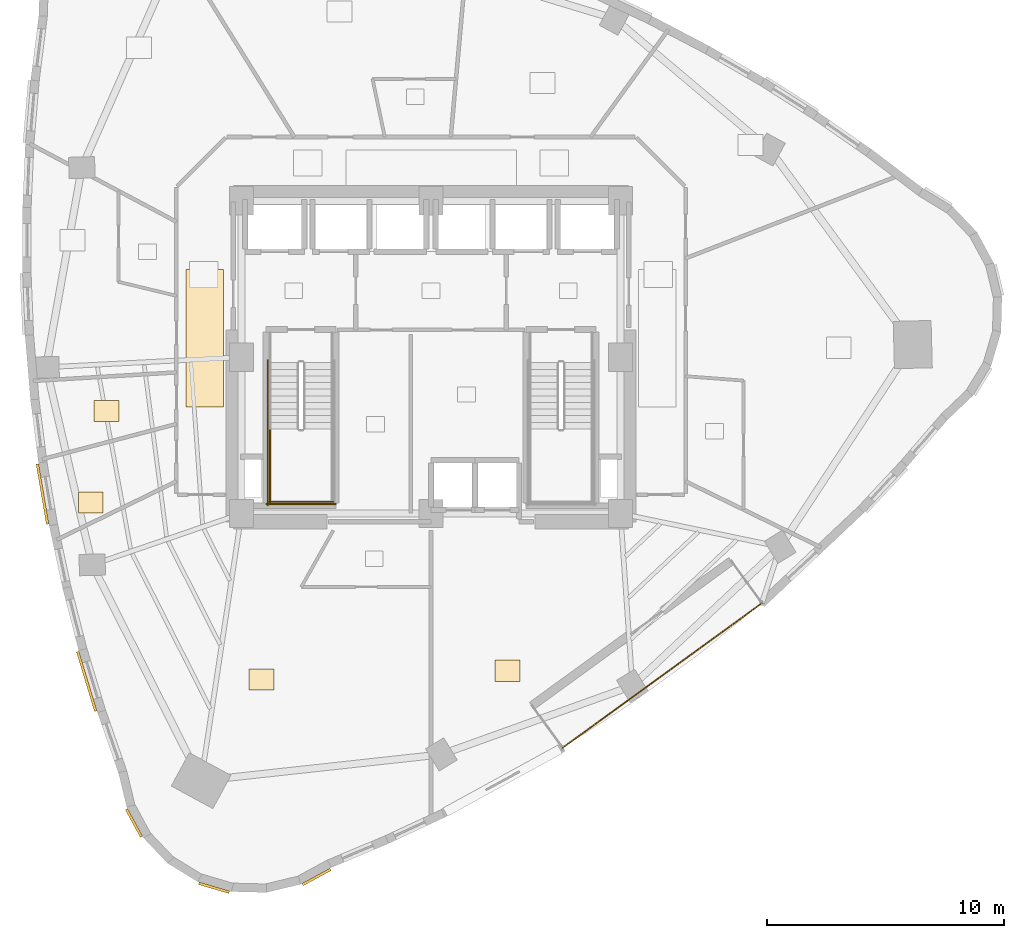
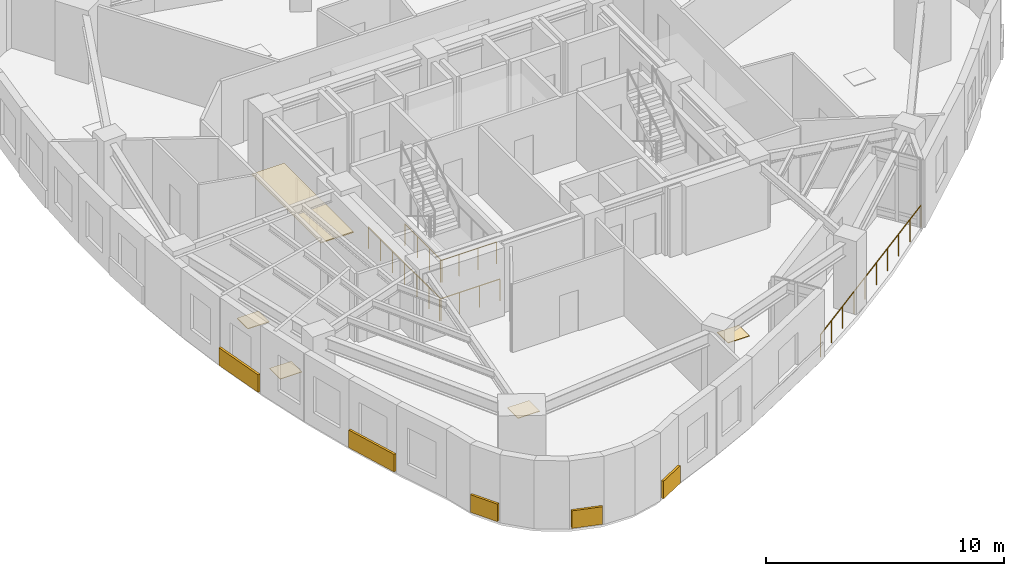
# One storey, part 9 of 11: 10 coverings, 5 railings.
"""IFC4 building model written with IfcOpenShell, lengths in metres."""

from ifc_helpers import new_model, si_unit, direction, frame, origin, origin_2d, place, context, subcontext, project, spatial, rectangle, circle, extrude, material, layer, layer_set, type_object, element, save


model = new_model("IFC4")

# Units and contexts
model_context = context("Model", 3, precision=1e-05, world=origin(), true_north=direction((0.0, 1.0)))
body_context = subcontext(model_context, "Body", "Model", "MODEL_VIEW")
ifc_project = project(units=[si_unit("LENGTHUNIT", "METRE"), si_unit("AREAUNIT", "SQUARE_METRE"), si_unit("VOLUMEUNIT", "CUBIC_METRE"), si_unit("PLANEANGLEUNIT", "RADIAN"), si_unit("MASSUNIT", "GRAM", prefix="KILO")], contexts=[model_context])

# Site, building, storey
site_placement = place(None, origin())
site = spatial("IfcSite", under=ifc_project, at=site_placement, CompositionType="ELEMENT")
building_placement = place(site_placement, origin())
building = spatial("IfcBuilding", under=site, at=building_placement, Name="Ndelora Gate Hotel", CompositionType="ELEMENT")
storey_placement = place(building_placement, frame((0.0, 0.0, 146.0)))
storey = spatial("IfcBuildingStorey", under=building, at=storey_placement, Name="L36", CompositionType="ELEMENT", Elevation=146.0)

# Coverings
ifc_material_1 = material(Name="Perforated Acoustic Gypsum Board", Category="gypsum")
ifc_layer_1 = layer(ifc_material_1, 0.054931640625)
ifc_layer_set_1 = layer_set([ifc_layer_1], Name="Perforated Acoustic Gypsum Board")
covering_type_1 = type_object("IfcCoveringType", Name="COV-CEIL-AC60", PredefinedType="CEILING", material=ifc_layer_set_1)
covering_1_placement = place(storey_placement, frame((-9.550048828125, 0.800048828125, 2.65234375), z_axis=(0.0, 0.0, 1.0), x_axis=(1.0, 0.0, 0.0)))
element("IfcCovering", 1, at=covering_1_placement, inside=storey, type_object=covering_type_1, Name="L36 Guest Corridor Acoustic Ceiling W", PredefinedType="CEILING", context=body_context, shape_type="SweptSolid", body=[
    extrude(rectangle(XDim=1.580078125, YDim=5.800048828125, at=origin_2d()), origin(), (0.0, 0.0, 1.0), 0.054931640625),
])
ifc_material_2 = material(Name="Terracotta Fired Clay Brick Slip Cladding", Category="masonry")
ifc_layer_2 = layer(ifc_material_2, 0.110107421875)
ifc_layer_set_2 = layer_set([ifc_layer_2], Name="Terracotta Fired Clay Brick Slip Cladding")
covering_type_2 = type_object("IfcCoveringType", Name="COV-CLAD-BRK", PredefinedType="CLADDING", material=ifc_layer_set_2)
covering_2_placement = place(storey_placement, frame((-16.406494140625, -5.77978515625, 0.10009765625), z_axis=(0.0, 0.0, 1.0), x_axis=(-0.167629126969, 0.985850128464, 0.0)))
element("IfcCovering", 2, at=covering_2_placement, inside=storey, type_object=covering_type_2, Name="L36 Rounded-Corner Brick Cladding Band 16", PredefinedType="CLADDING", context=body_context, shape_type="SweptSolid", body=[
    extrude(rectangle(XDim=2.583984375, YDim=0.110107421875, at=origin_2d()), origin(), (0.0, 0.0, 1.0), 0.89990234375),
])
covering_3_placement = place(storey_placement, frame((-14.540283203125, -13.694091796875, 0.10009765625), z_axis=(0.0, 0.0, 1.0), x_axis=(-0.289533008618, 0.957168029617, 0.0)))
element("IfcCovering", 3, at=covering_3_placement, inside=storey, type_object=covering_type_2, Name="L36 Rounded-Corner Brick Cladding Band 19", PredefinedType="CLADDING", context=body_context, shape_type="SweptSolid", body=[
    extrude(rectangle(XDim=2.6279296875, YDim=0.110107421875, at=origin_2d()), origin(), (0.0, 0.0, 1.0), 0.89990234375),
])
for number, where, z_axis, x_axis, name in (
    (4, (-12.54638671875, -19.6689453125, 0.10009765625), (0.0, 0.0, 1.0), (-0.47715876026, 0.878817112662, 0.0), "L36 Rounded-Corner Brick Cladding Band 22"),
    (5, (-9.164306640625, -22.407958984375, 0.10009765625), (0.0, 0.0, 1.0), (-0.958819734868, 0.284015344704, 0.0), "L36 Rounded-Corner Brick Cladding Band 25"),
    (6, (-4.835693359375, -21.952880859375, 0.10009765625), (0.0, 0.0, 1.0), (0.878817112662, 0.47715876026, 0.0), "L36 Rounded-Corner Brick Cladding Band 28"),
):
    element("IfcCovering", number, at=place(storey_placement, frame(where, z_axis=z_axis, x_axis=x_axis)), inside=storey, type_object=covering_type_2, Name=name, PredefinedType="CLADDING", context=body_context, shape_type="SweptSolid", body=[
        extrude(rectangle(XDim=1.3359375, YDim=0.110107421875, at=origin_2d()), origin(), (0.0, 0.0, 1.0), 0.89990234375),
    ])
ifc_material_3 = material(Name="Engineered Highland Oak Parquet", Category="wood")
ifc_layer_3 = layer(ifc_material_3, 0.030029296875)
ifc_layer_set_3 = layer_set([ifc_layer_3], Name="Engineered Highland Oak Parquet")
covering_type_3 = type_object("IfcCoveringType", Name="COV-FLR-PARQ", PredefinedType="FLOORING", material=ifc_layer_set_3)
for number, where, z_axis, x_axis, name in (
    (7, (-7.1591796875, -13.614990234375, 0.0), (0.0, 0.0, 1.0), (1.0, 0.0, 0.0), "L36 Ambassador Corner Suite 3901 Oak Parquet Flooring"),
    (8, (3.22509765625, -13.24462890625, 0.0), (0.0, 0.0, 1.0), (1.0, 0.0, 0.0), "L36 Sky Garden Tea Dining Room Oak Parquet Flooring"),
    (9, (-13.711181640625, -2.27294921875, 0.0), (0.0, 0.0, 1.0), (1.0, 0.0, 0.0), "L36 Housekeeping and Linen Room Oak Parquet Flooring"),
    (10, (-14.37158203125, -6.13720703125, 0.0), (0.0, 0.0, 1.0), (1.0, 0.0, 0.0), "L36 Accessible WC Oak Parquet Flooring"),
):
    element("IfcCovering", number, at=place(storey_placement, frame(where, z_axis=z_axis, x_axis=x_axis)), inside=storey, type_object=covering_type_3, Name=name, PredefinedType="FLOORING", context=body_context, shape_type="SweptSolid", body=[
        extrude(rectangle(XDim=1.050048828125, YDim=0.89990234375, at=origin_2d()), origin(), (0.0, 0.0, 1.0), 0.030029296875),
    ])

# Railings
ifc_material_4 = material(Name="Laminated Safety Glass and Bronze Top Rail", Category="glass")
ifc_layer_4 = layer(ifc_material_4, 0.070068359375)
ifc_layer_set_4 = layer_set([ifc_layer_4], Name="Laminated Safety Glass and Bronze Top Rail")
railing_type_1 = type_object("IfcRailingType", Name="RL-BAL-1150", PredefinedType="BALUSTRADE", material=ifc_layer_set_4)
railing_1_placement = place(storey_placement, frame((5.5595703125, -16.498779296875, 0.0)))
element("IfcRailing", 11, at=railing_1_placement, inside=storey, type_object=railing_type_1, Name="L36 Sky-Garden Loggia Terrace Balustrade", PredefinedType="BALUSTRADE", context=body_context, shape_type="SweptSolid", body=[
    extrude(circle(Radius=0.02392578125, at=origin_2d()), frame((0.0, 0.0, 1.1357421875), z_axis=(0.809015154073, 0.587787785243, 0.0), x_axis=(-0.587787785243, 0.809015154073, 0.0)), (0.0, 0.0, 1.0), 10.400146484375),
    extrude(circle(Radius=0.02099609375, at=origin_2d()), origin(), (0.0, 0.0, 1.0), 1.11181640625),
    extrude(circle(Radius=0.02099609375, at=origin_2d()), frame((0.934814453125, 0.67919921875, 0.0)), (0.0, 0.0, 1.0), 1.11181640625),
    extrude(circle(Radius=0.02099609375, at=origin_2d()), frame((1.86962890625, 1.3583984375, 0.0)), (0.0, 0.0, 1.0), 1.11181640625),
    extrude(circle(Radius=0.02099609375, at=origin_2d()), frame((2.8046875, 2.03759765625, 0.0)), (0.0, 0.0, 1.0), 1.11181640625),
    extrude(circle(Radius=0.02099609375, at=origin_2d()), frame((3.739501953125, 2.716796875, 0.0)), (0.0, 0.0, 1.0), 1.11181640625),
    extrude(circle(Radius=0.02099609375, at=origin_2d()), frame((4.67431640625, 3.396240234375, 0.0)), (0.0, 0.0, 1.0), 1.11181640625),
    extrude(circle(Radius=0.02099609375, at=origin_2d()), frame((5.609130859375, 4.075439453125, 0.0)), (0.0, 0.0, 1.0), 1.11181640625),
    extrude(circle(Radius=0.02099609375, at=origin_2d()), frame((6.544189453125, 4.754638671875, 0.0)), (0.0, 0.0, 1.0), 1.11181640625),
    extrude(circle(Radius=0.02099609375, at=origin_2d()), frame((7.47900390625, 5.433837890625, 0.0)), (0.0, 0.0, 1.0), 1.11181640625),
    extrude(circle(Radius=0.02099609375, at=origin_2d()), frame((8.413818359375, 6.113037109375, 0.0)), (0.0, 0.0, 1.0), 1.11181640625),
])
ifc_material_5 = material(Name="Painted Galvanized Steel Balustrade", Category="steel")
ifc_layer_5 = layer(ifc_material_5, 0.06005859375)
ifc_layer_set_5 = layer_set([ifc_layer_5], Name="Painted Galvanized Steel Balustrade")
railing_type_2 = type_object("IfcRailingType", Name="RL-STAIR-GD", PredefinedType="GUARDRAIL", material=ifc_layer_set_5)
railing_2_placement = place(storey_placement, frame((-6.800048828125, -3.030029296875, 1.875)))
element("IfcRailing", 12, at=railing_2_placement, inside=storey, type_object=railing_type_2, Name="L36 ST4 stair guard 3", PredefinedType="GUARDRAIL", context=body_context, shape_type="SweptSolid", body=[
    extrude(circle(Radius=0.02392578125, at=origin_2d()), frame((0.0, 0.0, 1.10595703125), z_axis=(0.0, -1.0, 0.0), x_axis=(1.0, 0.0, 0.0)), (0.0, 0.0, 1.0), 3.119873046875),
    extrude(circle(Radius=0.02099609375, at=origin_2d()), origin(), (0.0, 0.0, 1.0), 1.081787109375),
    extrude(circle(Radius=0.02099609375, at=origin_2d()), frame((0.0, -1.0400390625, 0.0)), (0.0, 0.0, 1.0), 1.081787109375),
    extrude(circle(Radius=0.02099609375, at=origin_2d()), frame((0.0, -2.079833984375, 0.0)), (0.0, 0.0, 1.0), 1.081787109375),
    extrude(circle(Radius=0.02099609375, at=origin_2d()), frame((0.0, -3.119873046875, 0.0)), (0.0, 0.0, 1.0), 1.081787109375),
])
railing_3_placement = place(storey_placement, frame((-6.85009765625, -6.10009765625, 1.875)))
element("IfcRailing", 13, at=railing_3_placement, inside=storey, type_object=railing_type_2, Name="L36 ST4 stair guard 5", PredefinedType="GUARDRAIL", context=body_context, shape_type="SweptSolid", body=[
    extrude(circle(Radius=0.02392578125, at=origin_2d()), frame((0.0, 0.0, 1.10595703125), z_axis=(1.0, 0.0, 0.0), x_axis=(0.0, 1.0, 0.0)), (0.0, 0.0, 1.0), 2.72021484375),
    extrude(circle(Radius=0.02099609375, at=origin_2d()), origin(), (0.0, 0.0, 1.0), 1.081787109375),
    extrude(circle(Radius=0.02099609375, at=origin_2d()), frame((0.90673828125, 0.0, 0.0)), (0.0, 0.0, 1.0), 1.081787109375),
    extrude(circle(Radius=0.02099609375, at=origin_2d()), frame((1.8134765625, 0.0, 0.0)), (0.0, 0.0, 1.0), 1.081787109375),
    extrude(circle(Radius=0.02099609375, at=origin_2d()), frame((2.72021484375, 0.0, 0.0)), (0.0, 0.0, 1.0), 1.081787109375),
])
railing_4_placement = place(storey_placement, frame((-6.89990234375, -0.1298828125, 0.0)))
element("IfcRailing", 14, at=railing_4_placement, inside=storey, type_object=railing_type_2, Name="L36 ST4 stair guard 10", PredefinedType="GUARDRAIL", context=body_context, shape_type="SweptSolid", body=[
    extrude(circle(Radius=0.02392578125, at=origin_2d()), frame((0.0, 0.0, 1.10595703125), z_axis=(0.0, -1.0, 0.0), x_axis=(1.0, 0.0, 0.0)), (0.0, 0.0, 1.0), 6.1201171875),
    extrude(circle(Radius=0.02099609375, at=origin_2d()), origin(), (0.0, 0.0, 1.0), 1.081787109375),
    extrude(circle(Radius=0.02099609375, at=origin_2d()), frame((0.0, -1.02001953125, 0.0)), (0.0, 0.0, 1.0), 1.081787109375),
    extrude(circle(Radius=0.02099609375, at=origin_2d()), frame((0.0, -2.0400390625, 0.0)), (0.0, 0.0, 1.0), 1.081787109375),
    extrude(circle(Radius=0.02099609375, at=origin_2d()), frame((0.0, -3.06005859375, 0.0)), (0.0, 0.0, 1.0), 1.081787109375),
    extrude(circle(Radius=0.02099609375, at=origin_2d()), frame((0.0, -4.080078125, 0.0)), (0.0, 0.0, 1.0), 1.081787109375),
    extrude(circle(Radius=0.02099609375, at=origin_2d()), frame((0.0, -5.10009765625, 0.0)), (0.0, 0.0, 1.0), 1.081787109375),
    extrude(circle(Radius=0.02099609375, at=origin_2d()), frame((0.0, -6.1201171875, 0.0)), (0.0, 0.0, 1.0), 1.081787109375),
])
railing_5_placement = place(storey_placement, frame((-6.949951171875, -6.199951171875, 0.0)))
element("IfcRailing", 15, at=railing_5_placement, inside=storey, type_object=railing_type_2, Name="L36 ST4 stair guard 12", PredefinedType="GUARDRAIL", context=body_context, shape_type="SweptSolid", body=[
    extrude(circle(Radius=0.02392578125, at=origin_2d()), frame((0.0, 0.0, 1.10595703125), z_axis=(1.0, 0.0, 0.0), x_axis=(0.0, 1.0, 0.0)), (0.0, 0.0, 1.0), 2.919921875),
    extrude(circle(Radius=0.02099609375, at=origin_2d()), origin(), (0.0, 0.0, 1.0), 1.081787109375),
    extrude(circle(Radius=0.02099609375, at=origin_2d()), frame((0.973388671875, 0.0, 0.0)), (0.0, 0.0, 1.0), 1.081787109375),
    extrude(circle(Radius=0.02099609375, at=origin_2d()), frame((1.946533203125, 0.0, 0.0)), (0.0, 0.0, 1.0), 1.081787109375),
    extrude(circle(Radius=0.02099609375, at=origin_2d()), frame((2.919921875, 0.0, 0.0)), (0.0, 0.0, 1.0), 1.081787109375),
])

save(model, "model.ifc")
